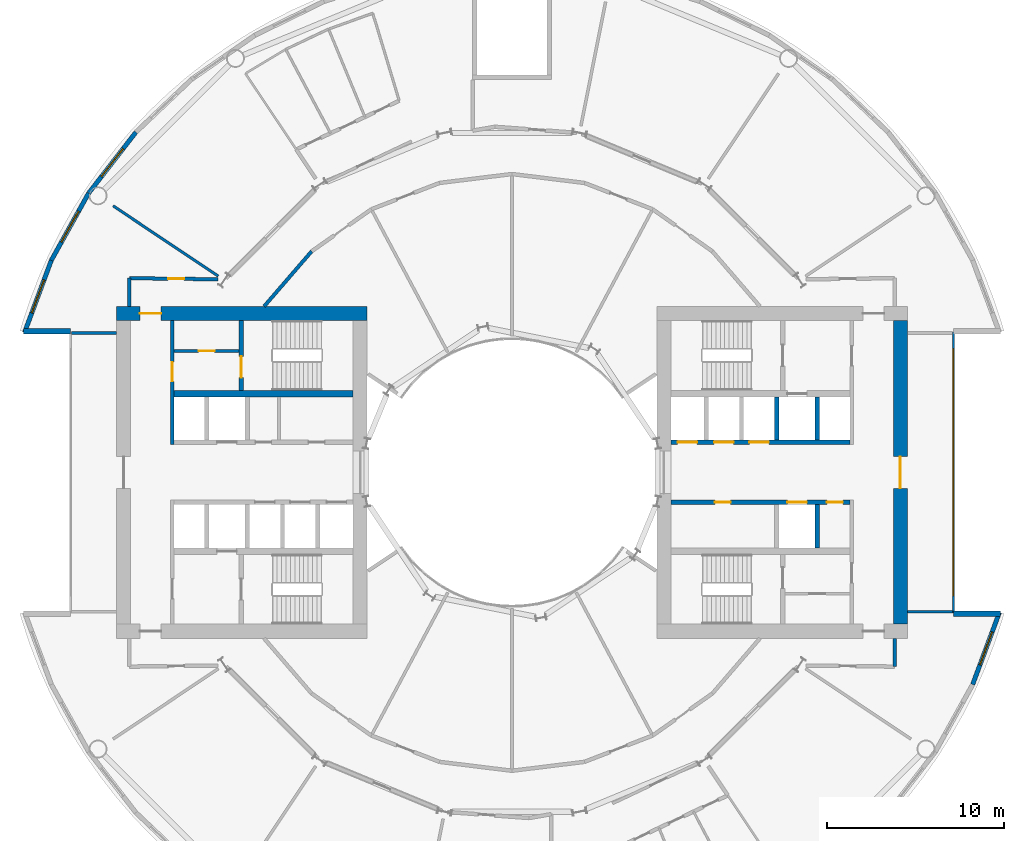
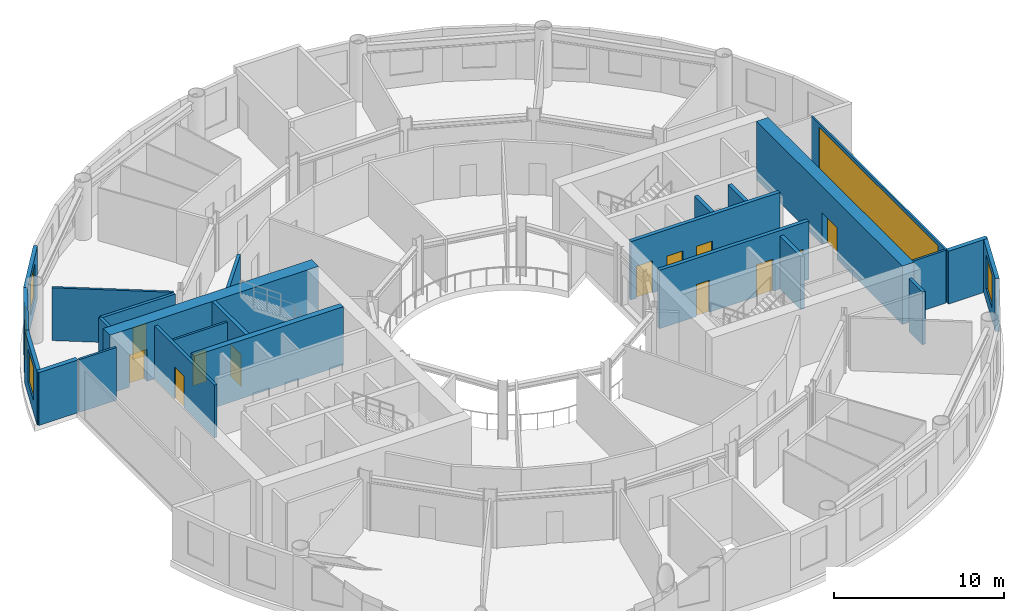
# One storey, part 7 of 13: 25 walls, 12 doors, 5 windows, 17 openings.
"""IFC4 building model written with IfcOpenShell, lengths in metres."""

from ifc_helpers import new_model, si_unit, direction, frame, frame_2d, origin, place, context, subcontext, project, spatial, rectangle, extrude, material, layer, layer_set, type_object, element, fill, save


model = new_model("IFC4")

# Units and contexts
model_context = context("Model", 3, precision=1e-05, world=origin(), true_north=direction((0.0, 1.0)))
body_context = subcontext(model_context, "Body", "Model", "MODEL_VIEW")
ifc_project = project(units=[si_unit("LENGTHUNIT", "METRE"), si_unit("AREAUNIT", "SQUARE_METRE"), si_unit("VOLUMEUNIT", "CUBIC_METRE"), si_unit("PLANEANGLEUNIT", "RADIAN"), si_unit("MASSUNIT", "GRAM", prefix="KILO")], contexts=[model_context])

# Site, building, storey
site_placement = place(None, origin())
site = spatial("IfcSite", under=ifc_project, at=site_placement, CompositionType="ELEMENT")
building_placement = place(site_placement, origin())
building = spatial("IfcBuilding", under=site, at=building_placement, Name="Maasbend Ring Residences", CompositionType="ELEMENT")
storey_placement = place(building_placement, frame((0.0, 0.0, 14.10009765625)))
storey = spatial("IfcBuildingStorey", under=building, at=storey_placement, Name="L03", CompositionType="ELEMENT", Elevation=14.10009765625)

# Wall, openings, doors
ifc_material_1 = material(Name="Concrete C70/85", Category="concrete")
ifc_layer_1 = layer(ifc_material_1, 0.25)
ifc_layer_set_1 = layer_set([ifc_layer_1], Name="Concrete C70/85")
wall_type_1 = type_object("IfcWallType", Name="CORE WALL 250 C70/85", PredefinedType="SHEAR", material=ifc_layer_set_1)
wall_1_placement = place(storey_placement, frame((9.0, 1.699951171875, 0.0), z_axis=(0.0, 0.0, 1.0), x_axis=(1.0, 0.0, 0.0)))
wall_1 = element("IfcWall", 1, at=wall_1_placement, inside=storey, type_object=wall_type_1, Name="L03 core E wall SPN", PredefinedType="SHEAR", context=body_context, shape_type="SweptSolid", body=[
    extrude(rectangle(XDim=10.14990234375, YDim=0.25, at=frame_2d((5.074951171875, 0.0))), origin(), (0.0, 0.0, 1.0), 4.199951171875),
])
opening_1_placement = place(wall_1_placement, frame((0.387451171875, 0.0, 0.0)))
opening_1 = element("IfcOpeningElement", 2, at=opening_1_placement, cuts=wall_1, Name="Opening LD-E0301", PredefinedType="OPENING", context=body_context, shape_type="SweptSolid", body=[
    extrude(rectangle(XDim=1.10009765625, YDim=2.300048828125, at=frame_2d((0.550048828125, 1.14990234375))), frame((0.0, 0.135009765625, 0.0), z_axis=(0.0, -1.0, 0.0), x_axis=(1.0, 0.0, 0.0)), (0.0, 0.0, 1.0), 0.27001953125),
])
opening_2_placement = place(wall_1_placement, frame((2.449951171875, 0.0, 0.0)))
opening_2 = element("IfcOpeningElement", 3, at=opening_2_placement, cuts=wall_1, Name="Opening LD-E0302", PredefinedType="OPENING", context=body_context, shape_type="SweptSolid", body=[
    extrude(rectangle(XDim=1.10009765625, YDim=2.300048828125, at=frame_2d((0.550048828125, 1.14990234375))), frame((0.0, 0.135009765625, 0.0), z_axis=(0.0, -1.0, 0.0), x_axis=(1.0, 0.0, 0.0)), (0.0, 0.0, 1.0), 0.27001953125),
])
opening_3_placement = place(wall_1_placement, frame((4.449951171875, 0.0, 0.0)))
opening_3 = element("IfcOpeningElement", 4, at=opening_3_placement, cuts=wall_1, Name="Opening LD-E0303", PredefinedType="OPENING", context=body_context, shape_type="SweptSolid", body=[
    extrude(rectangle(XDim=1.10009765625, YDim=2.300048828125, at=frame_2d((0.550048828125, 1.14990234375))), frame((0.0, 0.135009765625, 0.0), z_axis=(0.0, -1.0, 0.0), x_axis=(1.0, 0.0, 0.0)), (0.0, 0.0, 1.0), 0.27001953125),
])
ifc_material_2 = material(Name="Stainless steel 316", Category="steel")
door_type_1 = type_object("IfcDoorType", Name="LANDING DOOR 1100 X 2300 FD60", OperationType="DOUBLE_DOOR_SLIDING", PredefinedType="DOOR", material=ifc_material_2)
door_1_placement = place(opening_1_placement, origin())
door_1 = element("IfcDoor", 5, at=door_1_placement, inside=storey, type_object=door_type_1, Name="Landing door LR-E1 L03", OperationType="DOUBLE_DOOR_SLIDING", OverallHeight=2.300048828125, OverallWidth=1.10009765625, PredefinedType="DOOR", context=body_context, shape_type="SweptSolid", body=[
    extrude(rectangle(XDim=1.10009765625, YDim=2.300048828125, at=frame_2d((0.550048828125, 1.14990234375))), frame((0.0, 0.02490234375, 0.0), z_axis=(0.0, -1.0, 0.0), x_axis=(1.0, 0.0, 0.0)), (0.0, 0.0, 1.0), 0.050048828125),
])
fill(opening_1, door_1)
door_2_placement = place(opening_2_placement, origin())
door_2 = element("IfcDoor", 6, at=door_2_placement, inside=storey, type_object=door_type_1, Name="Landing door LR-E2 L03", OperationType="DOUBLE_DOOR_SLIDING", OverallHeight=2.300048828125, OverallWidth=1.10009765625, PredefinedType="DOOR", context=body_context, shape_type="SweptSolid", body=[
    extrude(rectangle(XDim=1.10009765625, YDim=2.300048828125, at=frame_2d((0.550048828125, 1.14990234375))), frame((0.0, 0.02490234375, 0.0), z_axis=(0.0, -1.0, 0.0), x_axis=(1.0, 0.0, 0.0)), (0.0, 0.0, 1.0), 0.050048828125),
])
fill(opening_2, door_2)
door_3_placement = place(opening_3_placement, origin())
door_3 = element("IfcDoor", 7, at=door_3_placement, inside=storey, type_object=door_type_1, Name="Landing door LR-E3 L03", OperationType="DOUBLE_DOOR_SLIDING", OverallHeight=2.300048828125, OverallWidth=1.10009765625, PredefinedType="DOOR", context=body_context, shape_type="SweptSolid", body=[
    extrude(rectangle(XDim=1.10009765625, YDim=2.300048828125, at=frame_2d((0.550048828125, 1.14990234375))), frame((0.0, 0.02490234375, 0.0), z_axis=(0.0, -1.0, 0.0), x_axis=(1.0, 0.0, 0.0)), (0.0, 0.0, 1.0), 0.050048828125),
])
fill(opening_3, door_3)

wall_2_placement = place(storey_placement, frame((19.14990234375, -1.699951171875, 0.0), z_axis=(0.0, 0.0, 1.0), x_axis=(-1.0, 0.0, 0.0)))
wall_2 = element("IfcWall", 8, at=wall_2_placement, inside=storey, type_object=wall_type_1, Name="L03 core E wall SPS", PredefinedType="SHEAR", context=body_context, shape_type="SweptSolid", body=[
    extrude(rectangle(XDim=10.14990234375, YDim=0.25, at=frame_2d((5.074951171875, 0.0))), origin(), (0.0, 0.0, 1.0), 4.199951171875),
])
opening_4_placement = place(wall_2_placement, frame((2.449951171875, 0.0, 0.0)))
opening_4 = element("IfcOpeningElement", 9, at=opening_4_placement, cuts=wall_2, Name="Opening LD-E0305", PredefinedType="OPENING", context=body_context, shape_type="SweptSolid", body=[
    extrude(rectangle(XDim=1.10009765625, YDim=2.300048828125, at=frame_2d((0.550048828125, 1.14990234375))), frame((0.0, 0.135009765625, 0.0), z_axis=(0.0, -1.0, 0.0), x_axis=(1.0, 0.0, 0.0)), (0.0, 0.0, 1.0), 0.27001953125),
])
opening_5_placement = place(wall_2_placement, frame((6.762451171875, 0.0, 0.0)))
opening_5 = element("IfcOpeningElement", 10, at=opening_5_placement, cuts=wall_2, Name="Opening D-E0306", PredefinedType="OPENING", context=body_context, shape_type="SweptSolid", body=[
    extrude(rectangle(XDim=0.89990234375, YDim=2.300048828125, at=frame_2d((0.449951171875, 1.14990234375))), frame((0.0, 0.135009765625, 0.0), z_axis=(0.0, -1.0, 0.0), x_axis=(1.0, 0.0, 0.0)), (0.0, 0.0, 1.0), 0.27001953125),
])
opening_6_placement = place(wall_2_placement, frame((0.41259765625, 0.0, 0.0)))
opening_6 = element("IfcOpeningElement", 11, at=opening_6_placement, cuts=wall_2, Name="Opening D-E0307", PredefinedType="OPENING", context=body_context, shape_type="SweptSolid", body=[
    extrude(rectangle(XDim=0.89990234375, YDim=2.300048828125, at=frame_2d((0.449951171875, 1.14990234375))), frame((0.0, 0.135009765625, 0.0), z_axis=(0.0, -1.0, 0.0), x_axis=(1.0, 0.0, 0.0)), (0.0, 0.0, 1.0), 0.27001953125),
])
door_4_placement = place(opening_4_placement, origin())
door_4 = element("IfcDoor", 12, at=door_4_placement, inside=storey, type_object=door_type_1, Name="Landing door SV-E L03", OperationType="DOUBLE_DOOR_SLIDING", OverallHeight=2.300048828125, OverallWidth=1.10009765625, PredefinedType="DOOR", context=body_context, shape_type="SweptSolid", body=[
    extrude(rectangle(XDim=1.10009765625, YDim=2.300048828125, at=frame_2d((0.550048828125, 1.14990234375))), frame((0.0, 0.02490234375, 0.0), z_axis=(0.0, -1.0, 0.0), x_axis=(1.0, 0.0, 0.0)), (0.0, 0.0, 1.0), 0.050048828125),
])
fill(opening_4, door_4)
ifc_material_3 = material(Name="Steel, powder coated", Category="steel")
door_type_2 = type_object("IfcDoorType", Name="ROOM DOOR 900 X 2300 FD30S", OperationType="NOTDEFINED", PredefinedType="DOOR", material=ifc_material_3)
door_5_placement = place(opening_5_placement, origin())
door_5 = element("IfcDoor", 13, at=door_5_placement, inside=storey, type_object=door_type_2, Name="Room door L03", OperationType="SINGLE_SWING_LEFT", OverallHeight=2.300048828125, OverallWidth=0.89990234375, PredefinedType="DOOR", context=body_context, shape_type="SweptSolid", body=[
    extrude(rectangle(XDim=0.89990234375, YDim=2.300048828125, at=frame_2d((0.449951171875, 1.14990234375))), frame((0.0, 0.02490234375, 0.0), z_axis=(0.0, -1.0, 0.0), x_axis=(1.0, 0.0, 0.0)), (0.0, 0.0, 1.0), 0.050048828125),
])
fill(opening_5, door_5)
door_6_placement = place(opening_6_placement, origin())
door_6 = element("IfcDoor", 14, at=door_6_placement, inside=storey, type_object=door_type_2, Name="Room door L03", OperationType="SINGLE_SWING_RIGHT", OverallHeight=2.300048828125, OverallWidth=0.89990234375, PredefinedType="DOOR", context=body_context, shape_type="SweptSolid", body=[
    extrude(rectangle(XDim=0.89990234375, YDim=2.300048828125, at=frame_2d((0.449951171875, 1.14990234375))), frame((0.0, 0.02490234375, 0.0), z_axis=(0.0, -1.0, 0.0), x_axis=(1.0, 0.0, 0.0)), (0.0, 0.0, 1.0), 0.050048828125),
])
fill(opening_6, door_6)

# Wall, opening, door
wall_3_placement = place(storey_placement, frame((-15.324951171875, 8.60009765625, 0.0), z_axis=(0.0, 0.0, 1.0), x_axis=(0.0, -1.0, 0.0)))
wall_3 = element("IfcWall", 15, at=wall_3_placement, inside=storey, type_object=wall_type_1, Name="L03 core W wall STES", PredefinedType="SHEAR", context=body_context, shape_type="SweptSolid", body=[
    extrude(rectangle(XDim=3.9501953125, YDim=0.25, at=frame_2d((1.97509765625, 0.0))), origin(), (0.0, 0.0, 1.0), 4.199951171875),
])
opening_7_placement = place(wall_3_placement, frame((2.02490234375, 0.0, 0.0)))
opening_7 = element("IfcOpeningElement", 16, at=opening_7_placement, cuts=wall_3, Name="Opening D-W0310", PredefinedType="OPENING", context=body_context, shape_type="SweptSolid", body=[
    extrude(rectangle(XDim=1.199951171875, YDim=2.300048828125, at=frame_2d((0.60009765625, 1.14990234375))), frame((0.0, 0.135009765625, 0.0), z_axis=(0.0, -1.0, 0.0), x_axis=(1.0, 0.0, 0.0)), (0.0, 0.0, 1.0), 0.27001953125),
])
ifc_material_4 = material(Name="Steel, powder coated", Category="steel")
door_type_3 = type_object("IfcDoorType", Name="STAIR DOOR 1200 X 2300 FD60", OperationType="NOTDEFINED", PredefinedType="DOOR", material=ifc_material_4)
door_7_placement = place(opening_7_placement, origin())
door_7 = element("IfcDoor", 17, at=door_7_placement, inside=storey, type_object=door_type_3, Name="Stair door ST-W L03", OperationType="SINGLE_SWING_LEFT", OverallHeight=2.300048828125, OverallWidth=1.199951171875, PredefinedType="DOOR", context=body_context, shape_type="SweptSolid", body=[
    extrude(rectangle(XDim=1.199951171875, YDim=2.300048828125, at=frame_2d((0.60009765625, 1.14990234375))), frame((0.0, 0.02490234375, 0.0), z_axis=(0.0, -1.0, 0.0), x_axis=(1.0, 0.0, 0.0)), (0.0, 0.0, 1.0), 0.050048828125),
])
fill(opening_7, door_7)

# Wall
ifc_material_5 = material(Name="Concrete C70/85", Category="concrete")
ifc_layer_2 = layer(ifc_material_5, 0.375)
ifc_layer_set_2 = layer_set([ifc_layer_2], Name="Concrete C70/85")
wall_type_2 = type_object("IfcWallType", Name="CORE WALL 375 C70/85", PredefinedType="SHEAR", material=ifc_layer_set_2)
wall_4_placement = place(storey_placement, frame((-9.0, 4.46240234375, 0.0), z_axis=(0.0, 0.0, 1.0), x_axis=(-1.0, 0.0, 0.0)))
element("IfcWall", 18, at=wall_4_placement, inside=storey, type_object=wall_type_2, Name="L03 core W wall BS", PredefinedType="SHEAR", context=body_context, shape_type="SweptSolid", body=[
    extrude(rectangle(XDim=10.14990234375, YDim=0.375, at=frame_2d((5.074951171875, 0.0))), origin(), (0.0, 0.0, 1.0), 4.199951171875),
])

# Wall, opening, door
ifc_material_6 = material(Name="Concrete C70/85", Category="concrete")
ifc_layer_3 = layer(ifc_material_6, 0.800048828125)
ifc_layer_set_3 = layer_set([ifc_layer_3], Name="Concrete C70/85")
wall_type_3 = type_object("IfcWallType", Name="CORE WALL 800 C70/85", PredefinedType="SHEAR", material=ifc_layer_set_3)
wall_5_placement = place(storey_placement, frame((22.0, 8.60009765625, 0.0), z_axis=(0.0, 0.0, 1.0), x_axis=(0.0, -1.0, 0.0)))
wall_5 = element("IfcWall", 19, at=wall_5_placement, inside=storey, type_object=wall_type_3, Name="L03 core E wall POUT", PredefinedType="SHEAR", context=body_context, shape_type="SweptSolid", body=[
    extrude(rectangle(XDim=17.2001953125, YDim=0.800048828125, at=frame_2d((8.60009765625, 0.0))), origin(), (0.0, 0.0, 1.0), 4.199951171875),
])
opening_8_placement = place(wall_5_placement, frame((7.699951171875, 0.0, 0.0)))
opening_8 = element("IfcOpeningElement", 20, at=opening_8_placement, cuts=wall_5, Name="Opening D-E0315", PredefinedType="OPENING", context=body_context, shape_type="SweptSolid", body=[
    extrude(rectangle(XDim=1.800048828125, YDim=2.300048828125, at=frame_2d((0.89990234375, 1.14990234375))), frame((0.0, 0.41015625, 0.0), z_axis=(0.0, -1.0, 0.0), x_axis=(1.0, 0.0, 0.0)), (0.0, 0.0, 1.0), 0.820068359375),
])
ifc_material_7 = material(Name="Aluminium frame, clear glass", Category="aluminium")
door_type_4 = type_object("IfcDoorType", Name="ENTRANCE DOOR 1800 X 2300 FD60", OperationType="NOTDEFINED", PredefinedType="DOOR", material=ifc_material_7)
door_8_placement = place(opening_8_placement, origin())
door_8 = element("IfcDoor", 21, at=door_8_placement, inside=storey, type_object=door_type_4, Name="Lobby glazed door L03", OperationType="SINGLE_SWING_LEFT", OverallHeight=2.300048828125, OverallWidth=1.800048828125, PredefinedType="DOOR", context=body_context, shape_type="SweptSolid", body=[
    extrude(rectangle(XDim=1.800048828125, YDim=2.300048828125, at=frame_2d((0.89990234375, 1.14990234375))), frame((0.0, 0.02490234375, 0.0), z_axis=(0.0, -1.0, 0.0), x_axis=(1.0, 0.0, 0.0)), (0.0, 0.0, 1.0), 0.050048828125),
])
fill(opening_8, door_8)

wall_6_placement = place(storey_placement, frame((-8.199951171875, 9.0, 0.0), z_axis=(0.0, 0.0, 1.0), x_axis=(-1.0, 0.0, 0.0)))
wall_6 = element("IfcWall", 22, at=wall_6_placement, inside=storey, type_object=wall_type_3, Name="L03 core W wall PS", PredefinedType="SHEAR", context=body_context, shape_type="SweptSolid", body=[
    extrude(rectangle(XDim=14.199951171875, YDim=0.800048828125, at=frame_2d((7.10009765625, 0.0))), origin(), (0.0, 0.0, 1.0), 4.199951171875),
])
opening_9_placement = place(wall_6_placement, frame((11.675048828125, 0.0, 0.0)))
opening_9 = element("IfcOpeningElement", 23, at=opening_9_placement, cuts=wall_6, Name="Opening D-W0314", PredefinedType="OPENING", context=body_context, shape_type="SweptSolid", body=[
    extrude(rectangle(XDim=1.199951171875, YDim=2.300048828125, at=frame_2d((0.60009765625, 1.14990234375))), frame((0.0, 0.41015625, 0.0), z_axis=(0.0, -1.0, 0.0), x_axis=(1.0, 0.0, 0.0)), (0.0, 0.0, 1.0), 0.820068359375),
])
ifc_material_8 = material(Name="Steel, powder coated", Category="steel")
door_type_5 = type_object("IfcDoorType", Name="CORRIDOR DOOR 1200 X 2300 FD30S", OperationType="NOTDEFINED", PredefinedType="DOOR", material=ifc_material_8)
door_9_placement = place(opening_9_placement, origin())
door_9 = element("IfcDoor", 24, at=door_9_placement, inside=storey, type_object=door_type_5, Name="Corridor door L03", OperationType="SINGLE_SWING_LEFT", OverallHeight=2.300048828125, OverallWidth=1.199951171875, PredefinedType="DOOR", context=body_context, shape_type="SweptSolid", body=[
    extrude(rectangle(XDim=1.199951171875, YDim=2.300048828125, at=frame_2d((0.60009765625, 1.14990234375))), frame((0.0, 0.02490234375, 0.0), z_axis=(0.0, -1.0, 0.0), x_axis=(1.0, 0.0, 0.0)), (0.0, 0.0, 1.0), 0.050048828125),
])
fill(opening_9, door_9)

# Wall
ifc_material_9 = material(Name="Concrete C30/37", Category="concrete")
ifc_layer_4 = layer(ifc_material_9, 0.199951171875)
ifc_layer_set_4 = layer_set([ifc_layer_4], Name="Concrete C30/37")
wall_type_4 = type_object("IfcWallType", Name="CORRIDOR WALL 200 CONCRETE", PredefinedType="PARTITIONING", material=ifc_layer_set_4)
wall_7_placement = place(storey_placement, frame((21.675048828125, -11.0, 0.0), z_axis=(0.0, 0.0, 1.0), x_axis=(0.0, 1.0, 0.0)))
element("IfcWall", 25, at=wall_7_placement, inside=storey, type_object=wall_type_4, Name="U-L03-w002", PredefinedType="PARTITIONING", context=body_context, shape_type="SweptSolid", body=[
    extrude(rectangle(XDim=1.60009765625, YDim=0.199951171875, at=frame_2d((0.800048828125, 0.0))), origin(), (0.0, 0.0, 1.0), 3.7998046875),
])

# Wall, opening, door
wall_8_placement = place(storey_placement, frame((-21.675048828125, 11.0, 0.0), z_axis=(0.0, 0.0, 1.0), x_axis=(0.999924074118, -0.012322580895, 0.0)))
wall_8 = element("IfcWall", 26, at=wall_8_placement, inside=storey, type_object=wall_type_4, Name="U-L03-w048", PredefinedType="PARTITIONING", context=body_context, shape_type="SweptSolid", body=[
    extrude(rectangle(XDim=5.032470703125, YDim=0.199951171875, at=frame_2d((2.51611328125, 0.0))), origin(), (0.0, 0.0, 1.0), 3.7998046875),
])
opening_10_placement = place(wall_8_placement, frame((2.205078125, 0.0, 0.0)))
opening_10 = element("IfcOpeningElement", 27, at=opening_10_placement, cuts=wall_8, Name="Opening D-0326", PredefinedType="OPENING", context=body_context, shape_type="SweptSolid", body=[
    extrude(rectangle(XDim=0.89990234375, YDim=2.300048828125, at=frame_2d((0.449951171875, 1.14990234375))), frame((0.0, 0.10986328125, 0.0), z_axis=(0.0, -1.0, 0.0), x_axis=(1.0, 0.0, 0.0)), (0.0, 0.0, 1.0), 0.219970703125),
])
ifc_material_10 = material(Name="Steel, fire-rated, painted", Category="steel")
door_type_6 = type_object("IfcDoorType", Name="SERVICE DOOR 900 X 2300 FIRE-RATED", OperationType="NOTDEFINED", PredefinedType="DOOR", material=ifc_material_10)
door_10_placement = place(opening_10_placement, origin())
door_10 = element("IfcDoor", 28, at=door_10_placement, inside=storey, type_object=door_type_6, Name="D-0326", OperationType="SINGLE_SWING_RIGHT", OverallHeight=2.300048828125, OverallWidth=0.89990234375, PredefinedType="DOOR", context=body_context, shape_type="SweptSolid", body=[
    extrude(rectangle(XDim=0.89990234375, YDim=2.300048828125, at=frame_2d((0.449951171875, 1.14990234375))), frame((0.0, 0.02490234375, 0.0), z_axis=(0.0, -1.0, 0.0), x_axis=(1.0, 0.0, 0.0)), (0.0, 0.0, 1.0), 0.050048828125),
])
fill(opening_10, door_10)

# Walls
wall_9_placement = place(storey_placement, frame((-14.04296875, 9.39990234375, 0.0), z_axis=(0.0, 0.0, 1.0), x_axis=(0.653274518104, 0.757121129012, 0.0)))
element("IfcWall", 29, at=wall_9_placement, inside=storey, type_object=wall_type_4, Name="U-L03-w050", PredefinedType="PARTITIONING", context=body_context, shape_type="SweptSolid", body=[
    extrude(rectangle(XDim=4.12353515625, YDim=0.199951171875, at=frame_2d((2.061767578125, 0.0))), origin(), (0.0, 0.0, 1.0), 3.7998046875),
])
wall_10_placement = place(storey_placement, frame((-21.675048828125, 9.39990234375, 0.0), z_axis=(0.0, 0.0, 1.0), x_axis=(0.0, 1.0, 0.0)))
element("IfcWall", 30, at=wall_10_placement, inside=storey, type_object=wall_type_4, Name="U-L03-w065", PredefinedType="PARTITIONING", context=body_context, shape_type="SweptSolid", body=[
    extrude(rectangle(XDim=1.60009765625, YDim=0.199951171875, at=frame_2d((0.800048828125, 0.0))), origin(), (0.0, 0.0, 1.0), 3.7998046875),
])

# Wall, opening, window
ifc_material_11 = material(Name="Aluminium clad insulated panel", Category="aluminium")
ifc_layer_5 = layer(ifc_material_11, 0.25)
ifc_layer_set_5 = layer_set([ifc_layer_5], Name="EW-GL")
wall_type_5 = type_object("IfcWallType", Name="EW-GL", PredefinedType="SOLIDWALL", material=ifc_layer_set_5)
wall_11_placement = place(storey_placement, frame((-21.303955078125, 19.26806640625, 0.0), z_axis=(0.0, 0.0, 1.0), x_axis=(-0.612637256412, -0.790364214812, 0.0)))
wall_11 = element("IfcWall", 31, at=wall_11_placement, inside=storey, type_object=wall_type_5, Name="Community floor wall 15", PredefinedType="SOLIDWALL", context=body_context, shape_type="SweptSolid", body=[
    extrude(rectangle(XDim=4.360107421875, YDim=0.25, at=frame_2d((2.18017578125, 0.0))), origin(), (0.0, 0.0, 1.0), 3.7998046875),
])
opening_11_placement = place(wall_11_placement, frame((1.179931640625, 0.0, 0.89990234375)))
opening_11 = element("IfcOpeningElement", 32, at=opening_11_placement, cuts=wall_11, Name="Opening W-BD", PredefinedType="OPENING", context=body_context, shape_type="SweptSolid", body=[
    extrude(rectangle(XDim=2.0, YDim=2.39990234375, at=frame_2d((1.0, 1.199951171875))), frame((0.0, 0.135009765625, 0.0), z_axis=(0.0, -1.0, 0.0), x_axis=(1.0, 0.0, 0.0)), (0.0, 0.0, 1.0), 0.27001953125),
])
ifc_material_12 = material(Name="Aluminium and clear glass", Category="aluminium")
window_type_1 = type_object("IfcWindowType", Name="W-BD", PartitioningType="DOUBLE_PANEL_VERTICAL", PredefinedType="WINDOW", material=ifc_material_12)
window_1_placement = place(opening_11_placement, origin())
window_1 = element("IfcWindow", 33, at=window_1_placement, inside=storey, type_object=window_type_1, Name="Community floor window 15", OverallHeight=2.39990234375, OverallWidth=2.0, PartitioningType="SINGLE_PANEL", PredefinedType="WINDOW", context=body_context, shape_type="SweptSolid", body=[
    extrude(rectangle(XDim=2.0, YDim=2.39990234375, at=frame_2d((1.0, 1.199951171875))), frame((0.0, 0.030029296875, 0.0), z_axis=(0.0, -1.0, 0.0), x_axis=(1.0, 0.0, 0.0)), (0.0, 0.0, 1.0), 0.06005859375),
])
fill(opening_11, window_1)

wall_12_placement = place(storey_placement, frame((-23.97509765625, 15.822021484375, 0.0), z_axis=(0.0, 0.0, 1.0), x_axis=(-0.485761785263, -0.8740912355, 0.0)))
wall_12 = element("IfcWall", 34, at=wall_12_placement, inside=storey, type_object=wall_type_5, Name="Community floor wall 16", PredefinedType="SOLIDWALL", context=body_context, shape_type="SweptSolid", body=[
    extrude(rectangle(XDim=4.360107421875, YDim=0.25, at=frame_2d((2.18017578125, 0.0))), origin(), (0.0, 0.0, 1.0), 3.7998046875),
])
opening_12_placement = place(wall_12_placement, frame((1.179931640625, 0.0, 0.89990234375)))
opening_12 = element("IfcOpeningElement", 35, at=opening_12_placement, cuts=wall_12, Name="Opening W-BD", PredefinedType="OPENING", context=body_context, shape_type="SweptSolid", body=[
    extrude(rectangle(XDim=2.0, YDim=2.39990234375, at=frame_2d((1.0, 1.199951171875))), frame((0.0, 0.135009765625, 0.0), z_axis=(0.0, -1.0, 0.0), x_axis=(1.0, 0.0, 0.0)), (0.0, 0.0, 1.0), 0.27001953125),
])
window_2_placement = place(opening_12_placement, origin())
window_2 = element("IfcWindow", 36, at=window_2_placement, inside=storey, type_object=window_type_1, Name="Community floor window 16", OverallHeight=2.39990234375, OverallWidth=2.0, PartitioningType="SINGLE_PANEL", PredefinedType="WINDOW", context=body_context, shape_type="SweptSolid", body=[
    extrude(rectangle(XDim=2.0, YDim=2.39990234375, at=frame_2d((1.0, 1.199951171875))), frame((0.0, 0.030029296875, 0.0), z_axis=(0.0, -1.0, 0.0), x_axis=(1.0, 0.0, 0.0)), (0.0, 0.0, 1.0), 0.06005859375),
])
fill(opening_12, window_2)

wall_13_placement = place(storey_placement, frame((-26.093017578125, 12.010986328125, 0.0), z_axis=(0.0, 0.0, 1.0), x_axis=(-0.348003729264, -0.937493148998, 0.0)))
wall_13 = element("IfcWall", 37, at=wall_13_placement, inside=storey, type_object=wall_type_5, Name="Community floor wall 17", PredefinedType="SOLIDWALL", context=body_context, shape_type="SweptSolid", body=[
    extrude(rectangle(XDim=4.359375, YDim=0.25, at=frame_2d((2.1796875, 0.0))), origin(), (0.0, 0.0, 1.0), 3.7998046875),
])
opening_13_placement = place(wall_13_placement, frame((1.179931640625, 0.0, 0.89990234375)))
opening_13 = element("IfcOpeningElement", 38, at=opening_13_placement, cuts=wall_13, Name="Opening W-BD", PredefinedType="OPENING", context=body_context, shape_type="SweptSolid", body=[
    extrude(rectangle(XDim=2.0, YDim=2.39990234375, at=frame_2d((1.0, 1.199951171875))), frame((0.0, 0.135009765625, 0.0), z_axis=(0.0, -1.0, 0.0), x_axis=(1.0, 0.0, 0.0)), (0.0, 0.0, 1.0), 0.27001953125),
])
window_3_placement = place(opening_13_placement, origin())
window_3 = element("IfcWindow", 39, at=window_3_placement, inside=storey, type_object=window_type_1, Name="Community floor window 17", OverallHeight=2.39990234375, OverallWidth=2.0, PartitioningType="SINGLE_PANEL", PredefinedType="WINDOW", context=body_context, shape_type="SweptSolid", body=[
    extrude(rectangle(XDim=2.0, YDim=2.39990234375, at=frame_2d((1.0, 1.199951171875))), frame((0.0, 0.030029296875, 0.0), z_axis=(0.0, -1.0, 0.0), x_axis=(1.0, 0.0, 0.0)), (0.0, 0.0, 1.0), 0.06005859375),
])
fill(opening_13, window_3)

wall_14_placement = place(storey_placement, frame((26.093017578125, -12.010986328125, 0.0), z_axis=(0.0, 0.0, 1.0), x_axis=(0.348003729264, 0.937493148998, 0.0)))
wall_14 = element("IfcWall", 40, at=wall_14_placement, inside=storey, type_object=wall_type_5, Name="Community floor wall 34", PredefinedType="SOLIDWALL", context=body_context, shape_type="SweptSolid", body=[
    extrude(rectangle(XDim=4.359375, YDim=0.25, at=frame_2d((2.1796875, 0.0))), origin(), (0.0, 0.0, 1.0), 3.7998046875),
])
opening_14_placement = place(wall_14_placement, frame((1.179931640625, 0.0, 0.89990234375)))
opening_14 = element("IfcOpeningElement", 41, at=opening_14_placement, cuts=wall_14, Name="Opening W-BD", PredefinedType="OPENING", context=body_context, shape_type="SweptSolid", body=[
    extrude(rectangle(XDim=2.0, YDim=2.39990234375, at=frame_2d((1.0, 1.199951171875))), frame((0.0, 0.135009765625, 0.0), z_axis=(0.0, -1.0, 0.0), x_axis=(1.0, 0.0, 0.0)), (0.0, 0.0, 1.0), 0.27001953125),
])
window_4_placement = place(opening_14_placement, origin())
window_4 = element("IfcWindow", 42, at=window_4_placement, inside=storey, type_object=window_type_1, Name="Community floor window 34", OverallHeight=2.39990234375, OverallWidth=2.0, PartitioningType="SINGLE_PANEL", PredefinedType="WINDOW", context=body_context, shape_type="SweptSolid", body=[
    extrude(rectangle(XDim=2.0, YDim=2.39990234375, at=frame_2d((1.0, 1.199951171875))), frame((0.0, 0.030029296875, 0.0), z_axis=(0.0, -1.0, 0.0), x_axis=(1.0, 0.0, 0.0)), (0.0, 0.0, 1.0), 0.06005859375),
])
fill(opening_14, window_4)

# Walls
ifc_material_13 = material(Name="Aluminium clad insulated panel", Category="aluminium")
ifc_layer_6 = layer(ifc_material_13, 0.300048828125)
ifc_layer_set_6 = layer_set([ifc_layer_6], Name="EW-RET")
wall_type_6 = type_object("IfcWallType", Name="EW-RET", PredefinedType="SOLIDWALL", material=ifc_layer_set_6)
for number, where, z_axis, x_axis, name in (
    (43, (25.0, -8.0, 0.0), (0.0, 0.0, 1.0), (1.0, 0.0, 0.0), "Notch return wall east south"),
    (44, (-25.0, 8.0, 0.0), (0.0, 0.0, 1.0), (-1.0, 0.0, 0.0), "Notch return wall west north"),
):
    element("IfcWall", number, at=place(storey_placement, frame(where, z_axis=z_axis, x_axis=x_axis)), inside=storey, type_object=wall_type_6, Name=name, PredefinedType="SOLIDWALL", context=body_context, shape_type="SweptSolid", body=[
        extrude(rectangle(XDim=2.6669921875, YDim=0.300048828125, at=frame_2d((1.33349609375, 0.0))), origin(), (0.0, 0.0, 1.0), 3.7998046875),
    ])

# Wall, opening, window
ifc_material_14 = material(Name="Aluminium frame and clear glass", Category="aluminium")
ifc_layer_7 = layer(ifc_material_14, 0.1201171875)
ifc_layer_set_7 = layer_set([ifc_layer_7], Name="GLAZED SCREEN WALL 120 EI 60")
wall_type_7 = type_object("IfcWallType", Name="GLAZED SCREEN WALL 120 EI 60", PredefinedType="PARTITIONING", material=ifc_layer_set_7)
wall_15_placement = place(storey_placement, frame((25.0, -7.949951171875, 0.0), z_axis=(0.0, 0.0, 1.0), x_axis=(0.0, 1.0, 0.0)))
wall_15 = element("IfcWall", 45, at=wall_15_placement, inside=storey, type_object=wall_type_7, Name="L03 core E wall FACE", PredefinedType="PARTITIONING", context=body_context, shape_type="SweptSolid", body=[
    extrude(rectangle(XDim=15.89990234375, YDim=0.1201171875, at=frame_2d((7.949951171875, 0.0))), origin(), (0.0, 0.0, 1.0), 3.7998046875),
])
opening_15_placement = place(wall_15_placement, frame((0.949951171875, 0.0, 0.10009765625)))
opening_15 = element("IfcOpeningElement", 46, at=opening_15_placement, cuts=wall_15, Name="Opening W-E0302", PredefinedType="OPENING", context=body_context, shape_type="SweptSolid", body=[
    extrude(rectangle(XDim=14.0, YDim=3.449951171875, at=frame_2d((7.0, 1.72509765625))), frame((0.0, 0.070068359375, 0.0), z_axis=(0.0, -1.0, 0.0), x_axis=(1.0, 0.0, 0.0)), (0.0, 0.0, 1.0), 0.14013671875),
])
ifc_material_15 = material(Name="Aluminium frame and clear glass", Category="aluminium")
window_type_2 = type_object("IfcWindowType", Name="FIXED WINDOW 14000 X 3450", PartitioningType="SINGLE_PANEL", PredefinedType="WINDOW", material=ifc_material_15)
window_5_placement = place(opening_15_placement, origin())
window_5 = element("IfcWindow", 47, at=window_5_placement, inside=storey, type_object=window_type_2, Name="Lobby window L03", OverallHeight=3.449951171875, OverallWidth=14.0, PartitioningType="SINGLE_PANEL", PredefinedType="WINDOW", context=body_context, shape_type="SweptSolid", body=[
    extrude(rectangle(XDim=14.0, YDim=3.449951171875, at=frame_2d((7.0, 1.72509765625))), frame((0.0, 0.030029296875, 0.0), z_axis=(0.0, -1.0, 0.0), x_axis=(1.0, 0.0, 0.0)), (0.0, 0.0, 1.0), 0.06005859375),
])
fill(opening_15, window_5)

# Wall
ifc_material_16 = material(Name="Gypsum board on steel studs", Category="steel")
ifc_layer_8 = layer(ifc_material_16, 0.14990234375)
ifc_layer_set_8 = layer_set([ifc_layer_8], Name="PARTITION 150 EI 60")
wall_type_8 = type_object("IfcWallType", Name="PARTITION 150 EI 60", PredefinedType="PARTITIONING", material=ifc_layer_set_8)
wall_16_placement = place(storey_placement, frame((22.39990234375, -7.89990234375, 0.0), z_axis=(0.0, 0.0, 1.0), x_axis=(1.0, 0.0, 0.0)))
element("IfcWall", 48, at=wall_16_placement, inside=storey, type_object=wall_type_8, Name="L03 core E wall CITS", PredefinedType="PARTITIONING", context=body_context, shape_type="SweptSolid", body=[
    extrude(rectangle(XDim=2.5400390625, YDim=0.14990234375, at=frame_2d((1.27001953125, 0.0))), origin(), (0.0, 0.0, 1.0), 3.7998046875),
])

# Wall, opening, door
wall_17_placement = place(storey_placement, frame((-15.449951171875, 6.875, 0.0), z_axis=(0.0, 0.0, 1.0), x_axis=(-1.0, 0.0, 0.0)))
wall_17 = element("IfcWall", 49, at=wall_17_placement, inside=storey, type_object=wall_type_8, Name="L03 core W wall RHS", PredefinedType="PARTITIONING", context=body_context, shape_type="SweptSolid", body=[
    extrude(rectangle(XDim=3.699951171875, YDim=0.14990234375, at=frame_2d((1.85009765625, 0.0))), origin(), (0.0, 0.0, 1.0), 3.7998046875),
])
opening_16_placement = place(wall_17_placement, frame((1.39990234375, 0.0, 0.0)))
opening_16 = element("IfcOpeningElement", 50, at=opening_16_placement, cuts=wall_17, Name="Opening D-W0308", PredefinedType="OPENING", context=body_context, shape_type="SweptSolid", body=[
    extrude(rectangle(XDim=0.89990234375, YDim=2.300048828125, at=frame_2d((0.449951171875, 1.14990234375))), frame((0.0, 0.0849609375, 0.0), z_axis=(0.0, -1.0, 0.0), x_axis=(1.0, 0.0, 0.0)), (0.0, 0.0, 1.0), 0.169921875),
])
ifc_material_17 = material(Name="Steel, powder coated", Category="steel")
door_type_7 = type_object("IfcDoorType", Name="RISER DOOR 900 X 2300 FD60", OperationType="NOTDEFINED", PredefinedType="DOOR", material=ifc_material_17)
door_11_placement = place(opening_16_placement, origin())
door_11 = element("IfcDoor", 51, at=door_11_placement, inside=storey, type_object=door_type_7, Name="Riser door L03", OperationType="SINGLE_SWING_LEFT", OverallHeight=2.300048828125, OverallWidth=0.89990234375, PredefinedType="DOOR", context=body_context, shape_type="SweptSolid", body=[
    extrude(rectangle(XDim=0.89990234375, YDim=2.300048828125, at=frame_2d((0.449951171875, 1.14990234375))), frame((0.0, 0.02490234375, 0.0), z_axis=(0.0, -1.0, 0.0), x_axis=(1.0, 0.0, 0.0)), (0.0, 0.0, 1.0), 0.050048828125),
])
fill(opening_16, door_11)

# Walls
wall_18_placement = place(storey_placement, frame((-22.39990234375, 7.89990234375, 0.0), z_axis=(0.0, 0.0, 1.0), x_axis=(-1.0, 0.0, 0.0)))
element("IfcWall", 52, at=wall_18_placement, inside=storey, type_object=wall_type_8, Name="L03 core W wall CITS", PredefinedType="PARTITIONING", context=body_context, shape_type="SweptSolid", body=[
    extrude(rectangle(XDim=2.5400390625, YDim=0.14990234375, at=frame_2d((1.27001953125, 0.0))), origin(), (0.0, 0.0, 1.0), 3.7998046875),
])
ifc_material_18 = material(Name="Gypsum board on steel studs", Category="steel")
ifc_layer_9 = layer(ifc_material_18, 0.14990234375)
ifc_layer_set_9 = layer_set([ifc_layer_9], Name="PARTITION 150 GYPSUM")
wall_type_9 = type_object("IfcWallType", Name="PARTITION 150 GYPSUM", PredefinedType="PARTITIONING", material=ifc_layer_set_9)
wall_19_placement = place(storey_placement, frame((-22.594970703125, 15.097900390625, 0.0), z_axis=(0.0, 0.0, 1.0), x_axis=(0.831431488123, -0.555627285648, 0.0)))
element("IfcWall", 53, at=wall_19_placement, inside=storey, type_object=wall_type_9, Name="U-L03-w023", PredefinedType="PARTITIONING", context=body_context, shape_type="SweptSolid", body=[
    extrude(rectangle(XDim=7.168212890625, YDim=0.14990234375, at=frame_2d((3.583984375, 0.0))), origin(), (0.0, 0.0, 1.0), 3.7998046875),
])

# Wall, opening, door
ifc_material_19 = material(Name="Concrete C30/37", Category="concrete")
ifc_layer_10 = layer(ifc_material_19, 0.199951171875)
ifc_layer_set_10 = layer_set([ifc_layer_10], Name="Concrete C30/37")
wall_type_10 = type_object("IfcWallType", Name="SHAFT WALL 200 EI 120", PredefinedType="SOLIDWALL", material=ifc_layer_set_10)
wall_20_placement = place(storey_placement, frame((-19.25, 8.60009765625, 0.0), z_axis=(0.0, 0.0, 1.0), x_axis=(0.0, -1.0, 0.0)))
wall_20 = element("IfcWall", 54, at=wall_20_placement, inside=storey, type_object=wall_type_10, Name="L03 core W wall ENDS", PredefinedType="SOLIDWALL", context=body_context, shape_type="SweptSolid", body=[
    extrude(rectangle(XDim=7.025146484375, YDim=0.199951171875, at=frame_2d((3.5126953125, 0.0))), origin(), (0.0, 0.0, 1.0), 3.7998046875),
])
opening_17_placement = place(wall_20_placement, frame((2.35009765625, 0.0, 0.0)))
opening_17 = element("IfcOpeningElement", 55, at=opening_17_placement, cuts=wall_20, Name="Opening D-W0312", PredefinedType="OPENING", context=body_context, shape_type="SweptSolid", body=[
    extrude(rectangle(XDim=1.10009765625, YDim=2.300048828125, at=frame_2d((0.550048828125, 1.14990234375))), frame((0.0, 0.10986328125, 0.0), z_axis=(0.0, -1.0, 0.0), x_axis=(1.0, 0.0, 0.0)), (0.0, 0.0, 1.0), 0.219970703125),
])
ifc_material_20 = material(Name="Steel, powder coated", Category="steel")
door_type_8 = type_object("IfcDoorType", Name="LOBBY DOOR 1100 X 2300 FD60", OperationType="NOTDEFINED", PredefinedType="DOOR", material=ifc_material_20)
door_12_placement = place(opening_17_placement, origin())
door_12 = element("IfcDoor", 56, at=door_12_placement, inside=storey, type_object=door_type_8, Name="Lobby door L03", OperationType="SINGLE_SWING_RIGHT", OverallHeight=2.300048828125, OverallWidth=1.10009765625, PredefinedType="DOOR", context=body_context, shape_type="SweptSolid", body=[
    extrude(rectangle(XDim=1.10009765625, YDim=2.300048828125, at=frame_2d((0.550048828125, 1.14990234375))), frame((0.0, 0.02490234375, 0.0), z_axis=(0.0, -1.0, 0.0), x_axis=(1.0, 0.0, 0.0)), (0.0, 0.0, 1.0), 0.050048828125),
])
fill(opening_17, door_12)

# Walls
ifc_material_21 = material(Name="Concrete C30/37", Category="concrete")
ifc_layer_11 = layer(ifc_material_21, 0.25)
ifc_layer_set_11 = layer_set([ifc_layer_11], Name="Concrete C30/37")
wall_type_11 = type_object("IfcWallType", Name="SHAFT WALL 250 EI 120", PredefinedType="SOLIDWALL", material=ifc_layer_set_11)
for number, where, z_axis, x_axis, name in (
    (57, (15.0, 1.824951171875, 0.0), (0.0, 0.0, 1.0), (0.0, 1.0, 0.0), "L03 core E wall D150N"),
    (58, (17.300048828125, 1.824951171875, 0.0), (0.0, 0.0, 1.0), (0.0, 1.0, 0.0), "L03 core E wall D173N"),
    (59, (17.300048828125, -1.824951171875, 0.0), (0.0, 0.0, 1.0), (0.0, -1.0, 0.0), "L03 core E wall D173S"),
):
    element("IfcWall", number, at=place(storey_placement, frame(where, z_axis=z_axis, x_axis=x_axis)), inside=storey, type_object=wall_type_11, Name=name, PredefinedType="SOLIDWALL", context=body_context, shape_type="SweptSolid", body=[
        extrude(rectangle(XDim=2.449951171875, YDim=0.25, at=frame_2d((1.22509765625, 0.0))), origin(), (0.0, 0.0, 1.0), 3.7998046875),
    ])

save(model, "model.ifc")
